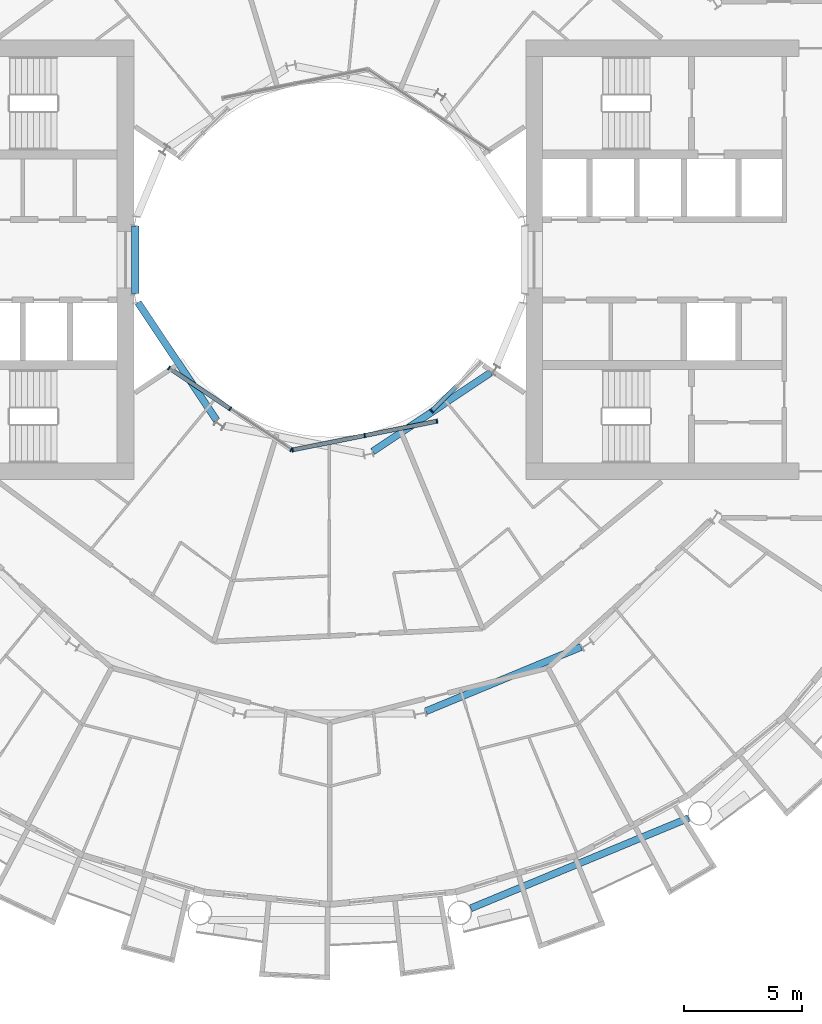
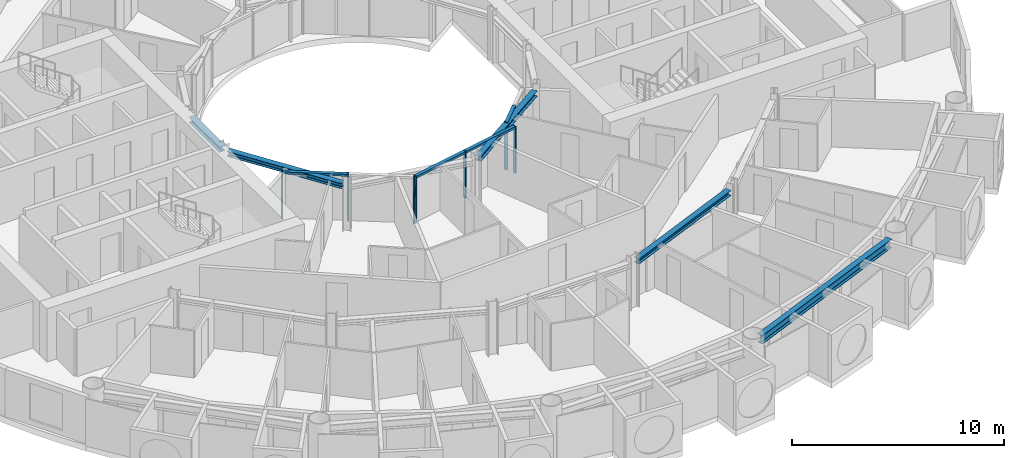
# One storey, part 5 of 26: 11 members, 5 beams, 3 elements without a shape of their own.
"""IFC4 building model written with IfcOpenShell, lengths in metres."""

from ifc_helpers import new_model, si_unit, direction, frame, origin, origin_2d, place, context, subcontext, project, spatial, rectangle, i_section, extrude, material, layer, layer_set, material_profile, profile_set, type_object, element, aggregate, save


model = new_model("IFC4")

# Units and contexts
model_context = context("Model", 3, precision=1e-05, world=origin(), true_north=direction((0.0, 1.0)))
body_context = subcontext(model_context, "Body", "Model", "MODEL_VIEW")
ifc_project = project(units=[si_unit("LENGTHUNIT", "METRE"), si_unit("AREAUNIT", "SQUARE_METRE"), si_unit("VOLUMEUNIT", "CUBIC_METRE"), si_unit("PLANEANGLEUNIT", "RADIAN"), si_unit("MASSUNIT", "GRAM", prefix="KILO")], contexts=[model_context])

# Site, building, storey
site_placement = place(None, origin())
site = spatial("IfcSite", under=ifc_project, at=site_placement, CompositionType="ELEMENT")
building_placement = place(site_placement, origin())
building = spatial("IfcBuilding", under=site, at=building_placement, Name="Maasbend Ring Residences", CompositionType="ELEMENT")
storey_placement = place(building_placement, frame((0.0, 0.0, 84.949951171875)))
storey = spatial("IfcBuildingStorey", under=building, at=storey_placement, Name="L24", CompositionType="ELEMENT", Elevation=84.949951171875)

# Curtain wall, members
ifc_material_1 = material(Name="Aluminium and clear glass", Category="aluminium")
ifc_layer = layer(ifc_material_1, 0.179931640625)
ifc_layer_set = layer_set([ifc_layer], Name="CW-W")
curtain_wall_type = type_object("IfcCurtainWallType", Name="CW-W", PredefinedType="NOTDEFINED", material=ifc_layer_set)
curtain_wall_1_placement = place(storey_placement, origin())
curtain_wall_1 = element("IfcCurtainWall", 1, at=curtain_wall_1_placement, inside=storey, type_object=curtain_wall_type, Name="Well curtain wall S1", PredefinedType="NOTDEFINED")
ifc_material_2 = material(Name="Aluminium 6063-T6", Category="aluminium")
ifc_material_profile_1 = material_profile(ifc_material_2, rectangle(XDim=0.179931640625, YDim=0.06005859375, at=origin_2d()), Name="AL 180x60")
ifc_profile_set_1 = profile_set([ifc_material_profile_1], Name="Aluminium 6063-T6")
member_type_1 = type_object("IfcMemberType", Name="CWM-W", PredefinedType="MULLION", material=ifc_profile_set_1)
member_1_placement = place(storey_placement, frame((-6.805908203125, -4.580810546875, 0.0), z_axis=(0.0, 0.0, 1.0), x_axis=(0.55557023302, 0.831469612303, 0.0)))
member_1 = element("IfcMember", 2, at=member_1_placement, type_object=member_type_1, Name="Mullion well face", PredefinedType="MULLION", context=body_context, shape_type="SweptSolid", body=[
    extrude(rectangle(XDim=0.179931640625, YDim=0.06005859375, at=origin_2d()), origin(), (0.0, 0.0, 1.0), 2.699951171875),
])
member_2_placement = place(storey_placement, frame((-4.216796875, -6.310791015625, 0.0), z_axis=(0.0, 0.0, 1.0), x_axis=(0.55557023302, 0.831469612303, 0.0)))
member_2 = element("IfcMember", 3, at=member_2_placement, type_object=member_type_1, Name="Mullion well face", PredefinedType="MULLION", context=body_context, shape_type="SweptSolid", body=[
    extrude(rectangle(XDim=0.179931640625, YDim=0.06005859375, at=origin_2d()), origin(), (0.0, 0.0, 1.0), 2.699951171875),
])
member_3_placement = place(storey_placement, frame((-1.627685546875, -8.040771484375, 0.0), z_axis=(0.0, 0.0, 1.0), x_axis=(0.55557023302, 0.831469612303, 0.0)))
member_3 = element("IfcMember", 4, at=member_3_placement, type_object=member_type_1, Name="Mullion well face", PredefinedType="MULLION", context=body_context, shape_type="SweptSolid", body=[
    extrude(rectangle(XDim=0.179931640625, YDim=0.06005859375, at=origin_2d()), origin(), (0.0, 0.0, 1.0), 2.699951171875),
])

curtain_wall_2_placement = place(storey_placement, origin())
curtain_wall_2 = element("IfcCurtainWall", 5, at=curtain_wall_2_placement, inside=storey, type_object=curtain_wall_type, Name="Well curtain wall S2", PredefinedType="NOTDEFINED")
member_4_placement = place(storey_placement, frame((-1.5732421875, -8.0517578125, 0.0), z_axis=(0.0, 0.0, 1.0), x_axis=(-0.195090322016, 0.980785280403, 0.0)))
member_4 = element("IfcMember", 6, at=member_4_placement, type_object=member_type_1, Name="Mullion well face", PredefinedType="MULLION", context=body_context, shape_type="SweptSolid", body=[
    extrude(rectangle(XDim=0.179931640625, YDim=0.06005859375, at=origin_2d()), origin(), (0.0, 0.0, 1.0), 2.699951171875),
])
member_5_placement = place(storey_placement, frame((1.480712890625, -7.444091796875, 0.0), z_axis=(0.0, 0.0, 1.0), x_axis=(-0.195090322016, 0.980785280403, 0.0)))
member_5 = element("IfcMember", 7, at=member_5_placement, type_object=member_type_1, Name="Mullion well face", PredefinedType="MULLION", context=body_context, shape_type="SweptSolid", body=[
    extrude(rectangle(XDim=0.179931640625, YDim=0.06005859375, at=origin_2d()), origin(), (0.0, 0.0, 1.0), 2.699951171875),
])
member_6_placement = place(storey_placement, frame((4.53466796875, -6.836669921875, 0.0), z_axis=(0.0, 0.0, 1.0), x_axis=(-0.195090322016, 0.980785280403, 0.0)))
member_6 = element("IfcMember", 8, at=member_6_placement, type_object=member_type_1, Name="Mullion well face", PredefinedType="MULLION", context=body_context, shape_type="SweptSolid", body=[
    extrude(rectangle(XDim=0.179931640625, YDim=0.06005859375, at=origin_2d()), origin(), (0.0, 0.0, 1.0), 2.699951171875),
])

# Curtain wall, member
curtain_wall_3_placement = place(storey_placement, origin())
curtain_wall_3 = element("IfcCurtainWall", 9, at=curtain_wall_3_placement, inside=storey, type_object=curtain_wall_type, Name="Well curtain wall S3", PredefinedType="NOTDEFINED")
member_7_placement = place(storey_placement, frame((4.320556640625, -6.413330078125, 0.0), z_axis=(0.0, 0.0, 1.0), x_axis=(-0.707106781187, 0.707106781187, 0.0)))
member_7 = element("IfcMember", 10, at=member_7_placement, type_object=member_type_1, Name="Mullion well face", PredefinedType="MULLION", context=body_context, shape_type="SweptSolid", body=[
    extrude(rectangle(XDim=0.179931640625, YDim=0.06005859375, at=origin_2d()), origin(), (0.0, 0.0, 1.0), 2.699951171875),
])

# Member
ifc_material_3 = material(Name="Aluminium 6063-T6", Category="aluminium")
ifc_material_profile_2 = material_profile(ifc_material_3, rectangle(XDim=0.179931640625, YDim=0.1201171875, at=origin_2d()), Name="AL 180x120")
ifc_profile_set_2 = profile_set([ifc_material_profile_2], Name="Aluminium 6063-T6")
member_type_2 = type_object("IfcMemberType", Name="CWT-W", PredefinedType="USERDEFINED", material=ifc_profile_set_2)
member_8_placement = place(storey_placement, frame((-6.781005859375, -4.59765625, 2.64013671875), z_axis=(0.831496422459, -0.555530106689, 0.0), x_axis=(0.555530106689, 0.831496422459, 0.0)))
member_8 = element("IfcMember", 11, at=member_8_placement, type_object=member_type_2, Name="Transom well face", ObjectType="TRANSOM", PredefinedType="USERDEFINED", context=body_context, shape_type="SweptSolid", body=[
    extrude(rectangle(XDim=0.179931640625, YDim=0.1201171875, at=origin_2d()), origin(), (0.0, 0.0, 1.0), 3.053955078125),
])

aggregate(curtain_wall_1, [member_1, member_2, member_3, member_8])

member_9_placement = place(storey_placement, frame((-1.5439453125, -8.0458984375, 2.64013671875), z_axis=(0.980776956105, 0.195132166424, 0.0), x_axis=(-0.195132166424, 0.980776956105, 0.0)))
member_9 = element("IfcMember", 12, at=member_9_placement, type_object=member_type_2, Name="Transom well face", ObjectType="TRANSOM", PredefinedType="USERDEFINED", context=body_context, shape_type="SweptSolid", body=[
    extrude(rectangle(XDim=0.179931640625, YDim=0.1201171875, at=origin_2d()), origin(), (0.0, 0.0, 1.0), 3.053955078125),
])

member_10_placement = place(storey_placement, frame((1.51025390625, -7.438232421875, 2.64013671875), z_axis=(0.980789210404, 0.19507056353, 0.0), x_axis=(-0.19507056353, 0.980789210404, 0.0)))
member_10 = element("IfcMember", 13, at=member_10_placement, type_object=member_type_2, Name="Transom well face", ObjectType="TRANSOM", PredefinedType="USERDEFINED", context=body_context, shape_type="SweptSolid", body=[
    extrude(rectangle(XDim=0.179931640625, YDim=0.1201171875, at=origin_2d()), origin(), (0.0, 0.0, 1.0), 3.0537109375),
])

aggregate(curtain_wall_2, [member_4, member_5, member_6, member_9, member_10])

member_11_placement = place(storey_placement, frame((4.341796875, -6.39208984375, 2.64013671875), z_axis=(0.707106781187, 0.707106781187, 0.0), x_axis=(-0.707106781187, 0.707106781187, 0.0)))
member_11 = element("IfcMember", 14, at=member_11_placement, type_object=member_type_2, Name="Transom well face", ObjectType="TRANSOM", PredefinedType="USERDEFINED", context=body_context, shape_type="SweptSolid", body=[
    extrude(rectangle(XDim=0.179931640625, YDim=0.1201171875, at=origin_2d()), origin(), (0.0, 0.0, 1.0), 1.419677734375),
])

aggregate(curtain_wall_3, [member_7, member_11])

# Beams
ifc_material_4 = material(Name="Steel S355J2", Category="steel")
ifc_material_profile_3 = material_profile(ifc_material_4, i_section(OverallWidth=0.300048828125, OverallDepth=0.300048828125, WebThickness=0.010986328125, FlangeThickness=0.01904296875, FilletRadius=0.027099609375, at=origin_2d()), Name="HEB 300")
ifc_profile_set_3 = profile_set([ifc_material_profile_3], Name="Steel S355J2")
beam_type_1 = type_object("IfcBeamType", Name="Corridor ring beam HEB 300", PredefinedType="BEAM", material=ifc_profile_set_3)
beam_1_placement = place(storey_placement, frame((4.070556640625, -19.12109375, 2.550048828125), z_axis=(0.923877113721, 0.382689271788, 0.0), x_axis=(-0.382689271788, 0.923877113721, 0.0)))
element("IfcBeam", 15, at=beam_1_placement, inside=storey, type_object=beam_type_1, Name="Corridor ring beam", PredefinedType="BEAM", context=body_context, shape_type="SweptSolid", body=[
    extrude(i_section(OverallWidth=0.300048828125, OverallDepth=0.300048828125, WebThickness=0.010986328125, FlangeThickness=0.01904296875, FilletRadius=0.027099609375, at=origin_2d()), origin(), (0.0, 0.0, 1.0), 7.11328125),
])
ifc_material_5 = material(Name="Steel S355J2", Category="steel")
ifc_material_profile_4 = material_profile(ifc_material_5, i_section(OverallWidth=0.300048828125, OverallDepth=0.5, WebThickness=0.014404296875, FlangeThickness=0.028076171875, FilletRadius=0.027099609375, at=origin_2d()), Name="HEB 500")
ifc_profile_set_4 = profile_set([ifc_material_profile_4], Name="Steel S355J2")
beam_type_2 = type_object("IfcBeamType", Name="Spandrel ring beam HEB 500", PredefinedType="SPANDREL", material=ifc_profile_set_4)
beam_2_placement = place(storey_placement, frame((5.970703125, -27.463623046875, 2.449951171875), z_axis=(0.923886337442, 0.382667003395, 0.0), x_axis=(-0.382667003395, 0.923886337442, 0.0)))
element("IfcBeam", 16, at=beam_2_placement, inside=storey, type_object=beam_type_2, Name="Spandrel ring beam", PredefinedType="SPANDREL", context=body_context, shape_type="SweptSolid", body=[
    extrude(i_section(OverallWidth=0.300048828125, OverallDepth=0.5, WebThickness=0.014404296875, FlangeThickness=0.028076171875, FilletRadius=0.027099609375, at=origin_2d()), origin(), (0.0, 0.0, 1.0), 9.9873046875),
])
ifc_material_6 = material(Name="Steel S355J2", Category="steel")
ifc_material_profile_5 = material_profile(ifc_material_6, i_section(OverallWidth=0.300048828125, OverallDepth=0.300048828125, WebThickness=0.010986328125, FlangeThickness=0.01904296875, FilletRadius=0.027099609375, at=origin_2d()), Name="HEB 300")
ifc_profile_set_5 = profile_set([ifc_material_profile_5], Name="Steel S355J2")
beam_type_3 = type_object("IfcBeamType", Name="Well edge beam HEB 300", PredefinedType="BEAM", material=ifc_profile_set_5)
beam_3_placement = place(storey_placement, frame((-8.238525390625, 1.434814453125, 2.550048828125), z_axis=(0.0, -1.0, 0.0), x_axis=(1.0, 0.0, 0.0)))
element("IfcBeam", 17, at=beam_3_placement, inside=storey, type_object=beam_type_3, Name="Well edge beam", PredefinedType="BEAM", context=body_context, shape_type="SweptSolid", body=[
    extrude(i_section(OverallWidth=0.300048828125, OverallDepth=0.300048828125, WebThickness=0.010986328125, FlangeThickness=0.01904296875, FilletRadius=0.027099609375, at=origin_2d()), origin(), (0.0, 0.0, 1.0), 2.86962890625),
])
for number, where, z_axis, x_axis, name in (
    (18, (-8.118408203125, -1.81884765625, 2.550048828125), (0.555592533493, -0.83145471117, 0.0), (0.83145471117, 0.555592533493, 0.0), "Well edge beam"),
    (19, (1.81884765625, -8.118408203125, 2.550048828125), (0.83145471117, 0.555592533493, 0.0), (-0.555592533493, 0.83145471117, 0.0), "Well edge beam"),
):
    element("IfcBeam", number, at=place(storey_placement, frame(where, z_axis=z_axis, x_axis=x_axis)), inside=storey, type_object=beam_type_3, Name=name, PredefinedType="BEAM", context=body_context, shape_type="SweptSolid", body=[
        extrude(i_section(OverallWidth=0.300048828125, OverallDepth=0.300048828125, WebThickness=0.010986328125, FlangeThickness=0.01904296875, FilletRadius=0.027099609375, at=origin_2d()), origin(), (0.0, 0.0, 1.0), 5.995849609375),
    ])

save(model, "model.ifc")
